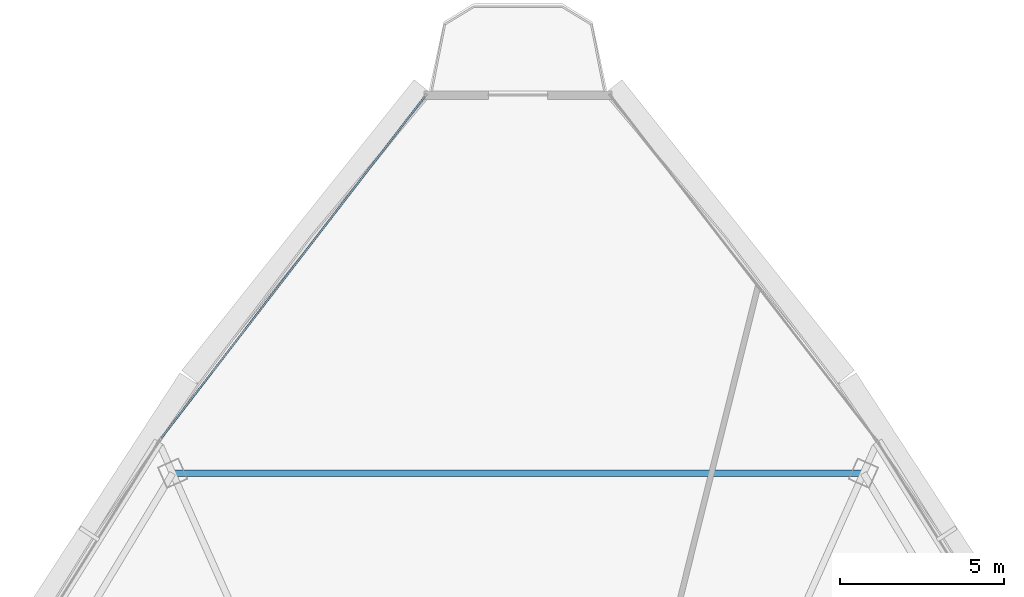
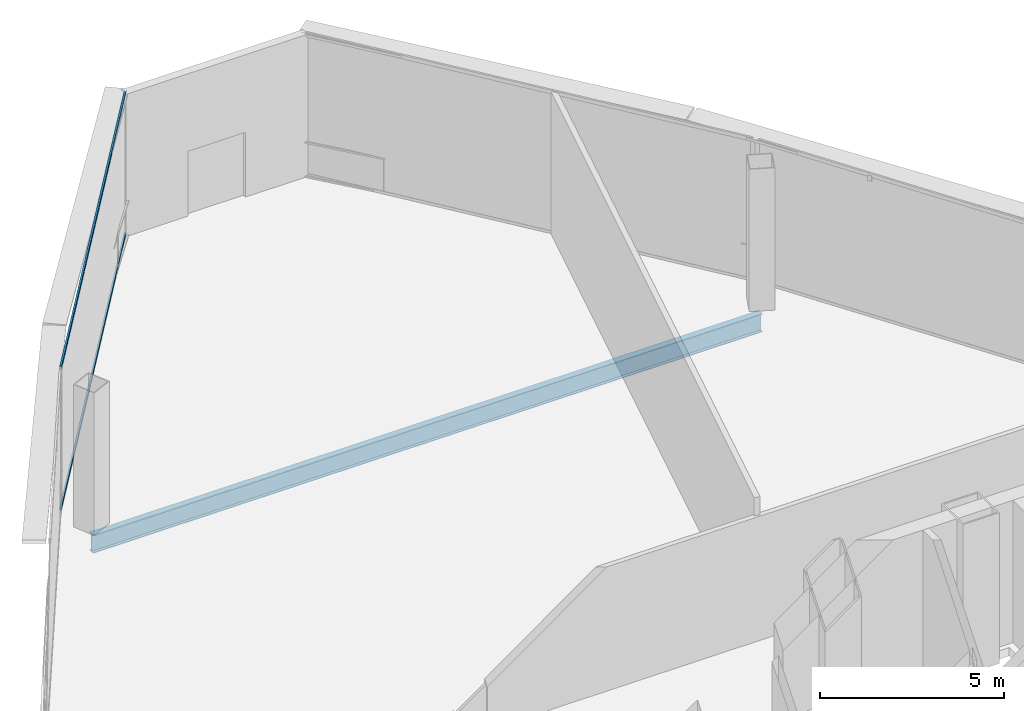
# One storey, part 20 of 29: 2 members, 1 beam, 1 element without a shape of its own.
"""IFC4 building model written with IfcOpenShell, lengths in metres."""

from ifc_helpers import new_model, si_unit, direction, frame, origin, origin_2d, place, context, subcontext, project, spatial, hollow_rectangle, i_section, extrude, source, transform, mapped, material, layer, layer_set, material_profile, profile_set, type_object, element, aggregate, save


model = new_model("IFC4")

# Units and contexts
model_context = context("Model", 3, precision=1e-05, world=origin(), true_north=direction((0.0, 1.0)))
body_context = subcontext(model_context, "Body", "Model", "MODEL_VIEW")
ifc_project = project(units=[si_unit("LENGTHUNIT", "METRE"), si_unit("AREAUNIT", "SQUARE_METRE"), si_unit("VOLUMEUNIT", "CUBIC_METRE"), si_unit("PLANEANGLEUNIT", "RADIAN"), si_unit("MASSUNIT", "GRAM", prefix="KILO"), si_unit("THERMODYNAMICTEMPERATUREUNIT", "KELVIN"), si_unit("POWERUNIT", "WATT")], contexts=[model_context])

# Site, building, storey
site_placement = place(None, origin())
site = spatial("IfcSite", under=ifc_project, at=site_placement, CompositionType="ELEMENT")
building_placement = place(site_placement, origin())
building = spatial("IfcBuilding", under=site, at=building_placement, Name="Yunzhuo Pagoda Commons", CompositionType="ELEMENT")
storey_placement = place(building_placement, frame((0.0, 0.0, 366.760009765625)))
storey = spatial("IfcBuildingStorey", under=building, at=storey_placement, Name="L92", CompositionType="ELEMENT", Elevation=366.760009765625)

# Beam
ifc_material_1 = material(Name="Structural steel Q355B", Category="steel")
ifc_material_profile_1 = material_profile(ifc_material_1, i_section(OverallWidth=0.199951171875, OverallDepth=0.60009765625, WebThickness=0.010986328125, FlangeThickness=0.01708984375, at=origin_2d()), Name="Structural steel Q355B")
ifc_profile_set_1 = profile_set([ifc_material_profile_1], Name="Structural steel Q355B")
beam_type = type_object("IfcBeamType", Name="B-RG3 Beam HN 600x200x11x17", PredefinedType="BEAM", material=ifc_profile_set_1)
shared_shape_1 = source(origin(), body_context, "Body", "SweptSolid", [
    extrude(i_section(OverallWidth=0.199951171875, OverallDepth=0.60009765625, WebThickness=0.010986328125, FlangeThickness=0.01708984375, at=origin_2d()), origin(), (0.0, 0.0, 1.0), 20.99755859375),
])
beam_placement = place(storey_placement, frame((58.498779296875, 57.281005859375, -0.580078125), z_axis=(-1.0, 0.0, 0.0), x_axis=(0.0, -1.0, 0.0)))
element("IfcBeam", 1, at=beam_placement, inside=storey, type_object=beam_type, Name="L92 column-ring beam 8", PredefinedType="BEAM", context=body_context, shape_type="MappedRepresentation", body=[
    mapped(shared_shape_1, transform((0.0, 0.0, 0.0), scale=1.0)),
])

# Curtain wall, members
ifc_material_2 = material(Name="Anodized aluminium 6063-T6", Category="aluminium")
ifc_layer = layer(ifc_material_2, 0.139892578125)
ifc_layer_set = layer_set([ifc_layer], Name="Anodized aluminium 6063-T6")
curtain_wall_type = type_object("IfcCurtainWallType", Name="CW-HI High-Zone Ribbon Curtain Wall", PredefinedType="NOTDEFINED", material=ifc_layer_set)
curtain_wall_placement = place(storey_placement, origin())
curtain_wall = element("IfcCurtainWall", 2, at=curtain_wall_placement, inside=storey, type_object=curtain_wall_type, Name="L92 curtain wall CW-L92-F3B1", PredefinedType="NOTDEFINED")
ifc_material_profile_2 = material_profile(ifc_material_2, hollow_rectangle(XDim=0.054931640625, YDim=0.1201171875, WallThickness=0.00341796875, at=origin_2d()), Name="Anodized aluminium 6063-T6")
ifc_profile_set_2 = profile_set([ifc_material_profile_2], Name="Anodized aluminium 6063-T6")
member_type = type_object("IfcMemberType", Name="CW-HI-T Transom RHS 120x55x3.5", PredefinedType="USERDEFINED", material=ifc_profile_set_2)
shared_shape_2 = source(origin(), body_context, "Body", "SweptSolid", [
    extrude(hollow_rectangle(XDim=0.054931640625, YDim=0.1201171875, WallThickness=0.00341796875, at=origin_2d()), origin(), (0.0, 0.0, 1.0), 13.109375),
])
member_1_placement = place(storey_placement, frame((45.16357421875, 68.726806640625, 0.027587890625), z_axis=(-0.610791111699, -0.791791776839, 0.0), x_axis=(0.791791776839, -0.610791111699, 0.0)))
member_1 = element("IfcMember", 3, at=member_1_placement, type_object=member_type, Name="CW transom 1.1", ObjectType="TRANSOM", PredefinedType="USERDEFINED", context=body_context, shape_type="MappedRepresentation", body=[
    mapped(shared_shape_2, transform((0.0, 0.0, 0.0), scale=1.0)),
])
member_2_placement = place(storey_placement, frame((45.16357421875, 68.726806640625, 4.6923828125), z_axis=(-0.610791111699, -0.791791776839, 0.0), x_axis=(0.791791776839, -0.610791111699, 0.0)))
member_2 = element("IfcMember", 4, at=member_2_placement, type_object=member_type, Name="CW transom 1.2", ObjectType="TRANSOM", PredefinedType="USERDEFINED", context=body_context, shape_type="MappedRepresentation", body=[
    mapped(shared_shape_2, transform((0.0, 0.0, 0.0), scale=1.0)),
])
aggregate(curtain_wall, [member_1, member_2])

save(model, "model.ifc")
